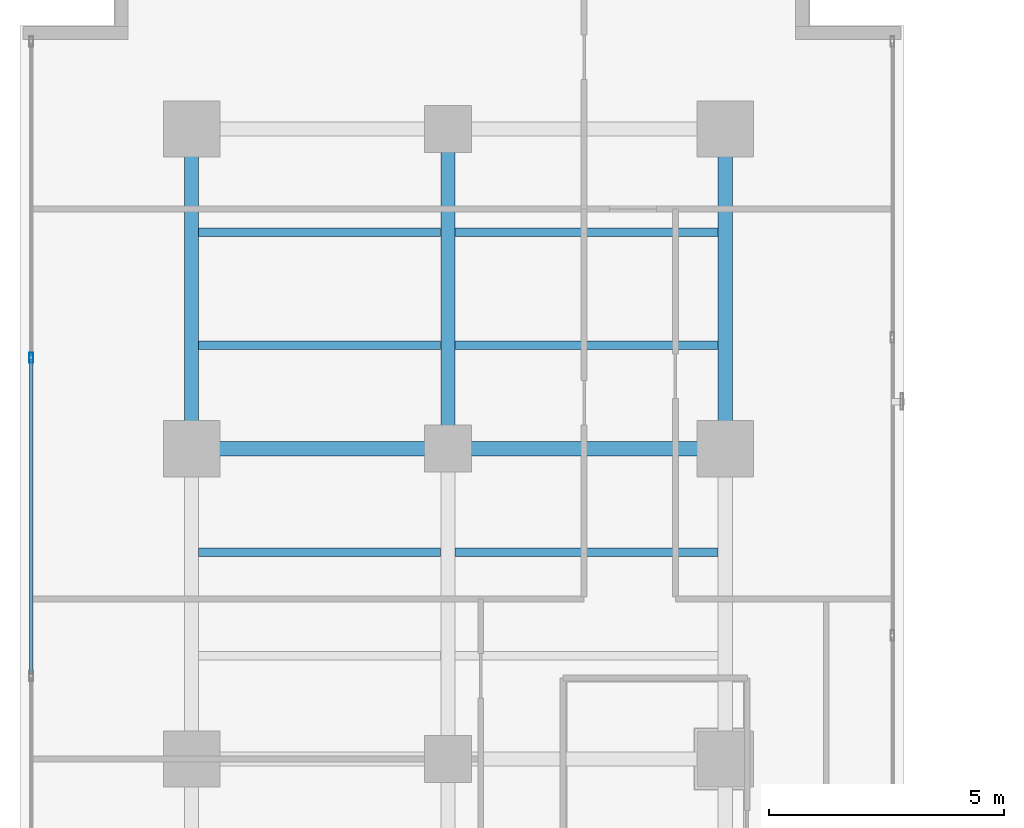
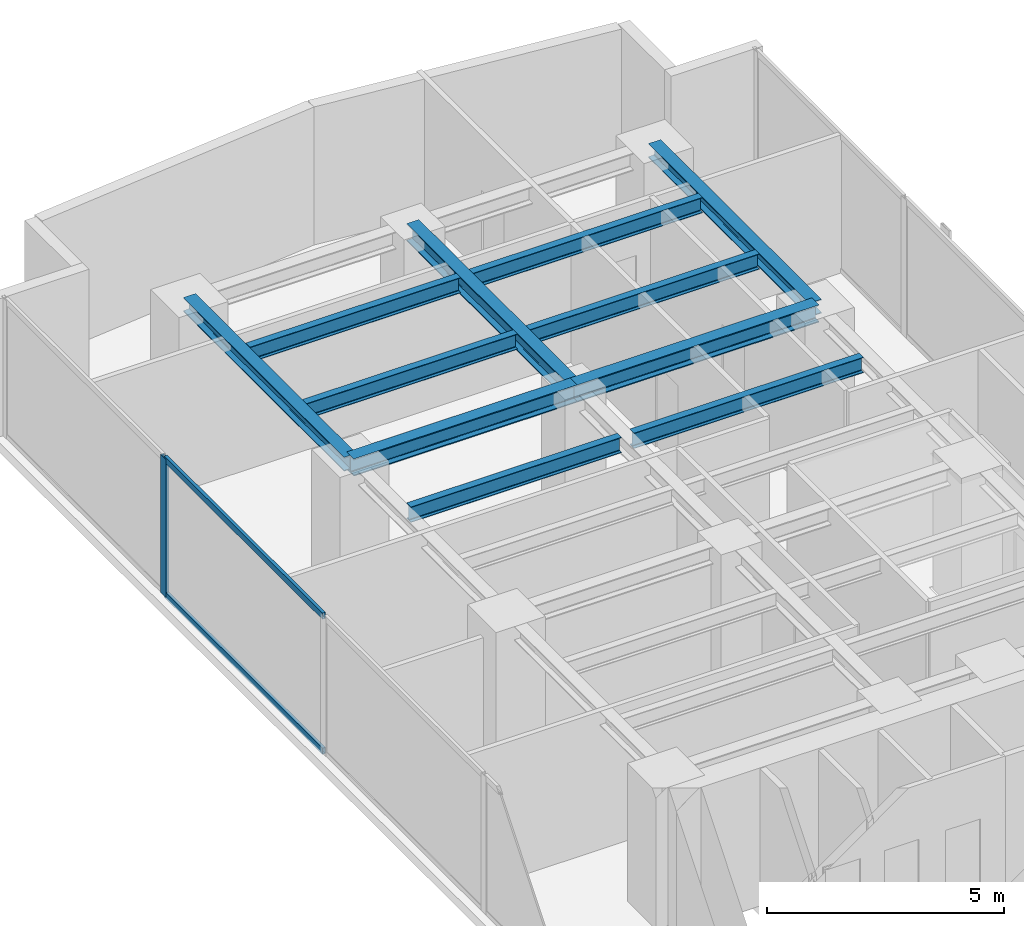
# One storey, part 15 of 24: 11 beams, 3 members, 1 element without a shape of its own.
"""IFC4 building model written with IfcOpenShell, lengths in metres."""

from ifc_helpers import new_model, si_unit, direction, frame, origin, origin_with_axes, origin_2d, place, context, subcontext, project, spatial, hollow_rectangle, i_section, extrude, source, transform, mapped, material, layer, layer_set, material_profile, profile_set, type_object, element, aggregate, save


model = new_model("IFC4")

# Units and contexts
model_context = context("Model", 3, precision=1e-05, world=origin(), true_north=direction((0.0, 1.0)))
body_context = subcontext(model_context, "Body", "Model", "MODEL_VIEW")
ifc_project = project(units=[si_unit("LENGTHUNIT", "METRE"), si_unit("AREAUNIT", "SQUARE_METRE"), si_unit("VOLUMEUNIT", "CUBIC_METRE"), si_unit("PLANEANGLEUNIT", "RADIAN"), si_unit("MASSUNIT", "GRAM", prefix="KILO")], contexts=[model_context])

# Site, building, storey
site_placement = place(None, origin())
site = spatial("IfcSite", under=ifc_project, at=site_placement, CompositionType="ELEMENT")
building_placement = place(site_placement, origin())
building = spatial("IfcBuilding", under=site, at=building_placement, Name="Kolvaren Waterfront Exchange", CompositionType="ELEMENT")
storey_placement = place(building_placement, frame((0.0, 0.0, 169.0)))
storey = spatial("IfcBuildingStorey", under=building, at=storey_placement, Name="L43", CompositionType="ELEMENT", Elevation=169.0)

# Beams
ifc_material_1 = material(Name="Steel S355", Category="steel")
ifc_material_profile_1 = material_profile(ifc_material_1, i_section(OverallWidth=0.300048828125, OverallDepth=0.360107421875, WebThickness=0.012451171875, FlangeThickness=0.0224609375, FilletRadius=0.027099609375, at=origin_2d()), Name="HEB360")
ifc_profile_set_1 = profile_set([ifc_material_profile_1], Name="Steel S355")
beam_type_1 = type_object("IfcBeamType", Name="STR-BM-HEB360", PredefinedType="SPANDREL", material=ifc_profile_set_1)
for number, where, z_axis, x_axis, name in (
    (1, (7.449951171875, 37.800048828125, 3.3798828125), (0.0, 1.0, 0.0), (-1.0, 0.0, 0.0), "L43 north-arm edge beam 3"),
    (2, (18.800048828125, 37.800048828125, 3.3798828125), (0.0, 1.0, 0.0), (-1.0, 0.0, 0.0), "L43 north-arm edge beam 3"),
):
    element("IfcBeam", number, at=place(storey_placement, frame(where, z_axis=z_axis, x_axis=x_axis)), inside=storey, type_object=beam_type_1, Name=name, PredefinedType="SPANDREL", context=body_context, shape_type="SweptSolid", body=[
        extrude(i_section(OverallWidth=0.300048828125, OverallDepth=0.360107421875, WebThickness=0.012451171875, FlangeThickness=0.0224609375, FilletRadius=0.027099609375, at=origin_2d()), origin(), (0.0, 0.0, 1.0), 6.800048828125),
    ])
ifc_material_profile_2 = material_profile(ifc_material_1, i_section(OverallWidth=0.300048828125, OverallDepth=0.449951171875, WebThickness=0.013916015625, FlangeThickness=0.02587890625, FilletRadius=0.027099609375, at=origin_2d()), Name="HEB450")
ifc_profile_set_2 = profile_set([ifc_material_profile_2], Name="Steel S355")
beam_type_2 = type_object("IfcBeamType", Name="STR-BM-HEB450", PredefinedType="BEAM", material=ifc_profile_set_2)
beam_1_placement = place(storey_placement, frame((7.449951171875, 37.800048828125, 3.3349609375), z_axis=(1.0, 0.0, 0.0), x_axis=(0.0, 1.0, 0.0)))
element("IfcBeam", 3, at=beam_1_placement, inside=storey, type_object=beam_type_2, Name="L43 north-arm girder 3A", PredefinedType="BEAM", context=body_context, shape_type="SweptSolid", body=[
    extrude(i_section(OverallWidth=0.300048828125, OverallDepth=0.449951171875, WebThickness=0.013916015625, FlangeThickness=0.02587890625, FilletRadius=0.027099609375, at=origin_2d()), origin(), (0.0, 0.0, 1.0), 5.449951171875),
])
beam_2_placement = place(storey_placement, frame((12.89990234375, 37.800048828125, 3.3349609375), z_axis=(1.0, 0.0, 0.0), x_axis=(0.0, 1.0, 0.0)))
element("IfcBeam", 4, at=beam_2_placement, inside=storey, type_object=beam_type_2, Name="L43 north-arm girder 3B", PredefinedType="BEAM", context=body_context, shape_type="SweptSolid", body=[
    extrude(i_section(OverallWidth=0.300048828125, OverallDepth=0.449951171875, WebThickness=0.013916015625, FlangeThickness=0.02587890625, FilletRadius=0.027099609375, at=origin_2d()), origin(), (0.0, 0.0, 1.0), 5.900146484375),
])
beam_3_placement = place(storey_placement, frame((12.89990234375, 37.800048828125, 3.3349609375), z_axis=(0.0, 1.0, 0.0), x_axis=(-1.0, 0.0, 0.0)))
element("IfcBeam", 5, at=beam_3_placement, inside=storey, type_object=beam_type_2, Name="L43 north-arm edge beam 3", PredefinedType="BEAM", context=body_context, shape_type="SweptSolid", body=[
    extrude(i_section(OverallWidth=0.300048828125, OverallDepth=0.449951171875, WebThickness=0.013916015625, FlangeThickness=0.02587890625, FilletRadius=0.027099609375, at=origin_2d()), origin(), (0.0, 0.0, 1.0), 6.800048828125),
])
ifc_material_profile_3 = material_profile(ifc_material_1, i_section(OverallWidth=0.179931640625, OverallDepth=0.39990234375, WebThickness=0.008544921875, FlangeThickness=0.013427734375, FilletRadius=0.02099609375, at=origin_2d()), Name="IPE400")
ifc_profile_set_3 = profile_set([ifc_material_profile_3], Name="Steel S355")
beam_type_3 = type_object("IfcBeamType", Name="STR-BM-IPE400", PredefinedType="JOIST", material=ifc_profile_set_3)
beam_4_placement = place(storey_placement, frame((7.60205078125, 35.60009765625, 3.360107421875), z_axis=(1.0, 0.0, 0.0), x_axis=(0.0, 1.0, 0.0)))
element("IfcBeam", 6, at=beam_4_placement, inside=storey, type_object=beam_type_3, Name="L43 north-arm composite joist 4A", PredefinedType="JOIST", context=body_context, shape_type="SweptSolid", body=[
    extrude(i_section(OverallWidth=0.179931640625, OverallDepth=0.39990234375, WebThickness=0.008544921875, FlangeThickness=0.013427734375, FilletRadius=0.02099609375, at=origin_2d()), origin(), (0.0, 0.0, 1.0), 5.14599609375),
])
beam_5_placement = place(storey_placement, frame((13.052001953125, 35.60009765625, 3.360107421875), z_axis=(1.0, 0.0, 0.0), x_axis=(0.0, 1.0, 0.0)))
element("IfcBeam", 7, at=beam_5_placement, inside=storey, type_object=beam_type_3, Name="L43 north-arm composite joist 4B", PredefinedType="JOIST", context=body_context, shape_type="SweptSolid", body=[
    extrude(i_section(OverallWidth=0.179931640625, OverallDepth=0.39990234375, WebThickness=0.008544921875, FlangeThickness=0.013427734375, FilletRadius=0.02099609375, at=origin_2d()), origin(), (0.0, 0.0, 1.0), 5.595947265625),
])
beam_6_placement = place(storey_placement, frame((7.60205078125, 40.0, 3.360107421875), z_axis=(1.0, 0.0, 0.0), x_axis=(0.0, 1.0, 0.0)))
element("IfcBeam", 8, at=beam_6_placement, inside=storey, type_object=beam_type_3, Name="L43 north-arm composite joist 5A", PredefinedType="JOIST", context=body_context, shape_type="SweptSolid", body=[
    extrude(i_section(OverallWidth=0.179931640625, OverallDepth=0.39990234375, WebThickness=0.008544921875, FlangeThickness=0.013427734375, FilletRadius=0.02099609375, at=origin_2d()), origin(), (0.0, 0.0, 1.0), 5.14599609375),
])
beam_7_placement = place(storey_placement, frame((13.052001953125, 40.0, 3.360107421875), z_axis=(1.0, 0.0, 0.0), x_axis=(0.0, 1.0, 0.0)))
element("IfcBeam", 9, at=beam_7_placement, inside=storey, type_object=beam_type_3, Name="L43 north-arm composite joist 5B", PredefinedType="JOIST", context=body_context, shape_type="SweptSolid", body=[
    extrude(i_section(OverallWidth=0.179931640625, OverallDepth=0.39990234375, WebThickness=0.008544921875, FlangeThickness=0.013427734375, FilletRadius=0.02099609375, at=origin_2d()), origin(), (0.0, 0.0, 1.0), 5.595947265625),
])
beam_8_placement = place(storey_placement, frame((7.60205078125, 42.39990234375, 3.360107421875), z_axis=(1.0, 0.0, 0.0), x_axis=(0.0, 1.0, 0.0)))
element("IfcBeam", 10, at=beam_8_placement, inside=storey, type_object=beam_type_3, Name="L43 north-arm composite joist 6A", PredefinedType="JOIST", context=body_context, shape_type="SweptSolid", body=[
    extrude(i_section(OverallWidth=0.179931640625, OverallDepth=0.39990234375, WebThickness=0.008544921875, FlangeThickness=0.013427734375, FilletRadius=0.02099609375, at=origin_2d()), origin(), (0.0, 0.0, 1.0), 5.14599609375),
])
beam_9_placement = place(storey_placement, frame((13.052001953125, 42.39990234375, 3.360107421875), z_axis=(1.0, 0.0, 0.0), x_axis=(0.0, 1.0, 0.0)))
element("IfcBeam", 11, at=beam_9_placement, inside=storey, type_object=beam_type_3, Name="L43 north-arm composite joist 6B", PredefinedType="JOIST", context=body_context, shape_type="SweptSolid", body=[
    extrude(i_section(OverallWidth=0.179931640625, OverallDepth=0.39990234375, WebThickness=0.008544921875, FlangeThickness=0.013427734375, FilletRadius=0.02099609375, at=origin_2d()), origin(), (0.0, 0.0, 1.0), 5.595947265625),
])

# Curtain wall, members
ifc_material_2 = material(Name="Anodised aluminium 6063-T6", Category="aluminium")
ifc_layer = layer(ifc_material_2, 0.219970703125, Name="Anodised aluminium 6063-T6")
ifc_layer_set = layer_set([ifc_layer], Name="Anodised aluminium 6063-T6")
curtain_wall_type = type_object("IfcCurtainWallType", Name="ARC-CW-SYS2", PredefinedType="USERDEFINED", material=ifc_layer_set)
curtain_wall_placement = place(storey_placement, origin())
curtain_wall = element("IfcCurtainWall", 12, at=curtain_wall_placement, inside=storey, type_object=curtain_wall_type, Name="L43 stick curtain wall CW2 (CW-L43-W)", ObjectType="STICK CURTAIN WALL", PredefinedType="USERDEFINED")
ifc_material_profile_4 = material_profile(ifc_material_2, hollow_rectangle(XDim=0.080078125, YDim=0.219970703125, WallThickness=0.0048828125, at=origin_2d()), Name="ALU-MUL-220x80x5")
ifc_profile_set_4 = profile_set([ifc_material_profile_4], Name="Anodised aluminium 6063-T6")
member_type_1 = type_object("IfcMemberType", Name="ARC-CWM-220", PredefinedType="MULLION", material=ifc_profile_set_4)
shared_shape_1 = source(origin_with_axes(), body_context, "Body", "SweptSolid", [
    extrude(hollow_rectangle(XDim=0.080078125, YDim=0.219970703125, WallThickness=0.0048828125, at=origin_2d()), origin(), (0.0, 0.0, 1.0), 3.56005859375),
])
member_1_placement = place(storey_placement, frame((4.0400390625, 39.7333984375, 0.0), z_axis=(0.0, 0.0, 1.0), x_axis=(-1.0, 0.0, 0.0)))
member_1 = element("IfcMember", 13, at=member_1_placement, type_object=member_type_1, Name="CW2 mullion 6", PredefinedType="MULLION", context=body_context, shape_type="MappedRepresentation", body=[
    mapped(shared_shape_1, transform((0.0, 0.0, 0.0), x_axis=(1.0, 0.0, 0.0), y_axis=(0.0, 1.0, 0.0), z_axis=(0.0, 0.0, 1.0), scale=1.0)),
])
ifc_material_profile_5 = material_profile(ifc_material_2, hollow_rectangle(XDim=0.074951171875, YDim=0.159912109375, WallThickness=0.00439453125, at=origin_2d()), Name="ALU-TRN-160x75x4.5")
ifc_profile_set_5 = profile_set([ifc_material_profile_5], Name="Anodised aluminium 6063-T6")
member_type_2 = type_object("IfcMemberType", Name="ARC-CWT-160", PredefinedType="USERDEFINED", material=ifc_profile_set_5)
shared_shape_2 = source(origin_with_axes(), body_context, "Body", "SweptSolid", [
    extrude(hollow_rectangle(XDim=0.074951171875, YDim=0.159912109375, WallThickness=0.00439453125, at=origin_2d()), origin(), (0.0, 0.0, 1.0), 6.686767578125),
])
member_2_placement = place(storey_placement, frame((4.0400390625, 33.006591796875, 0.03759765625), z_axis=(0.0, 1.0, 0.0), x_axis=(-1.0, 0.0, 0.0)))
member_2 = element("IfcMember", 14, at=member_2_placement, type_object=member_type_2, Name="CW2 transom 5.1", ObjectType="TRANSOM", PredefinedType="USERDEFINED", context=body_context, shape_type="MappedRepresentation", body=[
    mapped(shared_shape_2, transform((0.0, 0.0, 0.0), x_axis=(1.0, 0.0, 0.0), y_axis=(0.0, 1.0, 0.0), z_axis=(0.0, 0.0, 1.0), scale=1.0)),
])
member_3_placement = place(storey_placement, frame((4.0400390625, 33.006591796875, 3.5224609375), z_axis=(0.0, 1.0, 0.0), x_axis=(-1.0, 0.0, 0.0)))
member_3 = element("IfcMember", 15, at=member_3_placement, type_object=member_type_2, Name="CW2 transom 5.2", ObjectType="TRANSOM", PredefinedType="USERDEFINED", context=body_context, shape_type="MappedRepresentation", body=[
    mapped(shared_shape_2, transform((0.0, 0.0, 0.0), x_axis=(1.0, 0.0, 0.0), y_axis=(0.0, 1.0, 0.0), z_axis=(0.0, 0.0, 1.0), scale=1.0)),
])
aggregate(curtain_wall, [member_1, member_2, member_3])

save(model, "model.ifc")
